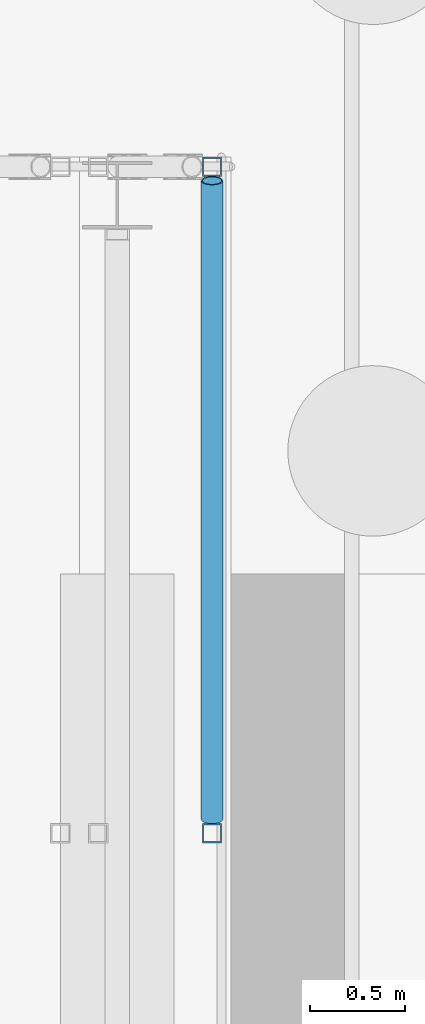
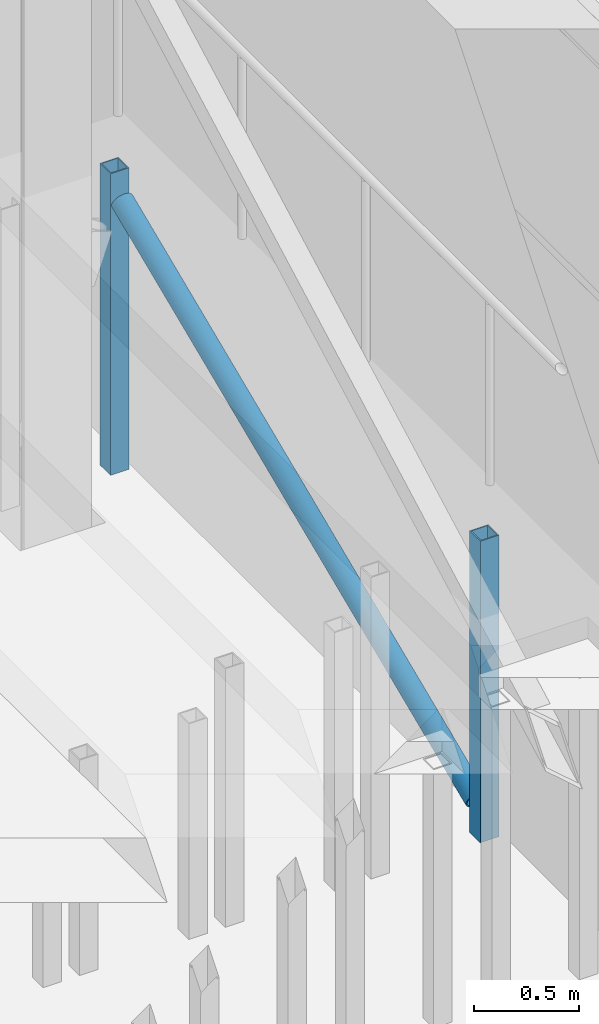
# One storey, part 56 of 139: 3 members.
"""IFC4 building model written with IfcOpenShell, lengths in metres."""

import ifcopenshell
import ifcopenshell.guid

model = None  # the IFC model being written
_history = None  # IfcOwnerHistory: only IFC2X3 demands one
_inside = {}  # id of a spatial element -> (the spatial element, [elements in it])
_under = {}  # id of a project, library or spatial element -> (it, [spatial elements below it])
_declared = {}  # id of a project -> (the project, [libraries it declares])
_typed = {}  # id of a type object -> (the type object, [elements of that type])
_made_of = {}  # id of a material, layer set ... -> (it, [elements and type objects made of it])


def new_model(schema):
    """Start an empty IFC model of exactly this schema.

    Asked for "IFC4X3", IfcOpenShell would pick the latest addendum, in which some entities
    have other attributes; the version numbers below select the first issue.
    IFC2X3 requires an IfcOwnerHistory on every rooted entity: one is made here for all.
    """
    global model, _history
    if schema == "IFC4X3":
        model = ifcopenshell.file(schema_version=(4, 3, 0, 0))
    else:
        model = ifcopenshell.file(schema=schema)
    _inside.clear()
    _under.clear()
    _declared.clear()
    _typed.clear()
    _made_of.clear()
    _history = None
    if model.schema == "IFC2X3":
        org = make("IfcOrganization", Name="unknown")
        user = make(
            "IfcPersonAndOrganization",
            ThePerson=make("IfcPerson", FamilyName="unknown"),
            TheOrganization=org,
        )
        app = make(
            "IfcApplication",
            ApplicationDeveloper=org,
            Version="unknown",
            ApplicationFullName="unknown",
            ApplicationIdentifier="unknown",
        )
        _history = make(
            "IfcOwnerHistory",
            OwningUser=user,
            OwningApplication=app,
            ChangeAction="ADDED",
            CreationDate=0,
        )
    return model


def make(cls, **values):
    """One entity of the class cls with the attributes given. An attribute that is None is left unset."""
    return model.create_entity(
        cls, **{name: value for name, value in values.items() if value is not None}
    )


def rooted(cls, **values):
    """An entity with a GlobalId (a new one), such as an element, a storey or a relation."""
    return make(cls, GlobalId=ifcopenshell.guid.new(), OwnerHistory=_history, **values)


def si_unit(unit_type, name, prefix=None):
    """IfcSIUnit, for example si_unit("LENGTHUNIT", "METRE", prefix="MILLI")."""
    return make("IfcSIUnit", UnitType=unit_type, Prefix=prefix, Name=name)


def assignment(units):
    """IfcUnitAssignment: the units of a project."""
    return None if units is None else make("IfcUnitAssignment", Units=units)


def point(xyz):
    """IfcCartesianPoint."""
    return None if xyz is None else make("IfcCartesianPoint", Coordinates=xyz)


def direction(xyz):
    """IfcDirection."""
    return None if xyz is None else make("IfcDirection", DirectionRatios=xyz)


def frame(location, z_axis=None, x_axis=None):
    """IfcAxis2Placement3D, a coordinate frame: its origin and axes. An axis left out is left unset."""
    return make(
        "IfcAxis2Placement3D",
        Location=point(location),
        Axis=direction(z_axis),
        RefDirection=direction(x_axis),
    )


def frame_2d(location, x_axis=None):
    """IfcAxis2Placement2D, a coordinate frame in the plane: its origin and x axis."""
    return make(
        "IfcAxis2Placement2D", Location=point(location), RefDirection=direction(x_axis)
    )


def origin():
    """The frame at (0, 0, 0) with its axes left unset."""
    return frame((0.0, 0.0, 0.0))


def origin_2d():
    """The frame at (0, 0) in the plane with its x axis left unset."""
    return frame_2d((0.0, 0.0))


def place(relative_to, where):
    """IfcLocalPlacement: puts the frame where relative to a parent placement (None: the world)."""
    return make(
        "IfcLocalPlacement", PlacementRelTo=relative_to, RelativePlacement=where
    )


def context(
    kind, dimensions, precision=None, world=None, true_north=None, identifier=None
):
    """IfcGeometricRepresentationContext, for example the 3D "Model" context."""
    return make(
        "IfcGeometricRepresentationContext",
        ContextIdentifier=identifier,
        ContextType=kind,
        CoordinateSpaceDimension=dimensions,
        Precision=precision,
        WorldCoordinateSystem=world,
        TrueNorth=true_north,
    )


def subcontext(parent, identifier, kind, view, scale=None):
    """IfcGeometricRepresentationSubContext, for example "Body" below "Model"."""
    return make(
        "IfcGeometricRepresentationSubContext",
        ContextIdentifier=identifier,
        ContextType=kind,
        ParentContext=parent,
        TargetScale=scale,
        TargetView=view,
    )


def project(units=None, contexts=None):
    """IfcProject with its units and contexts."""
    return rooted(
        "IfcProject",
        Name="project",
        RepresentationContexts=contexts,
        UnitsInContext=assignment(units),
    )


def spatial(cls, under=None, at=None, **own):
    """A site, building, storey or space (cls), placed at a placement, below another one or the project."""
    s = rooted(cls, ObjectPlacement=at, **own)
    if under is not None:
        _under.setdefault(under.id(), (under, []))[1].append(s)
    return s


def profile(cls, at=None, kind="AREA", **sizes):
    """A parametric profile (cls). Its sizes go by their IFC names, for example OverallWidth=200.0."""
    return make(cls, ProfileType=kind, Position=at, **sizes)


def hollow_rectangle(**sizes):
    """IfcRectangleHollowProfileDef."""
    return profile("IfcRectangleHollowProfileDef", **sizes)


def hollow_circle(**sizes):
    """IfcCircleHollowProfileDef."""
    return profile("IfcCircleHollowProfileDef", **sizes)


def extrude(swept, where, along, depth):
    """IfcExtrudedAreaSolid: the profile swept, set in the frame where, extruded along a direction by depth."""
    return make(
        "IfcExtrudedAreaSolid",
        SweptArea=swept,
        Position=where,
        ExtrudedDirection=direction(along),
        Depth=depth,
    )


def shape(context_of_items, identifier, shape_type, items):
    """IfcShapeRepresentation: the items that make up one representation, for example the "Body"."""
    return make(
        "IfcShapeRepresentation",
        ContextOfItems=context_of_items,
        RepresentationIdentifier=identifier,
        RepresentationType=shape_type,
        Items=items,
    )


def material(Name=None, Category=None):
    """IfcMaterial."""
    return make("IfcMaterial", Name=Name, Category=Category)


def material_profile(
    of_material, cross_section, Name=None, Category=None, Priority=None
):
    """IfcMaterialProfile: a cross section and its material."""
    return make(
        "IfcMaterialProfile",
        Name=Name,
        Material=of_material,
        Profile=cross_section,
        Priority=Priority,
        Category=Category,
    )


def profile_set(profiles, Name=None, composite=None):
    """IfcMaterialProfileSet."""
    return make(
        "IfcMaterialProfileSet",
        Name=Name,
        MaterialProfiles=profiles,
        CompositeProfile=composite,
    )


def made_of(thing, what):
    """Note that an element or type object is made of a material, layer set ...; save() writes the relation."""
    if what is not None:
        _made_of.setdefault(what.id(), (what, []))[1].append(thing)
    return thing


def type_object(cls, material=None, **own):
    """A type object (cls), such as IfcWallType, which elements share."""
    return made_of(rooted(cls, **own), material)


def element(
    cls,
    number,
    at=None,
    inside=None,
    cuts=None,
    type_object=None,
    material=None,
    context=None,
    identifier="Body",
    shape_type=None,
    held_by="IfcProductDefinitionShape",
    body=None,
    shapes=None,
    **own,
):
    """One element of the class cls, such as IfcWall. Its Tag is "e" and its number.

    at: its placement. inside: the storey or other place that contains it. cuts: it is an
    opening in that element (IfcRelVoidsElement). A single representation is given by context,
    identifier, shape_type and body (its items); several are given by shapes. held_by: the class
    of the entity that holds the representations. save() writes the other relations.
    """
    e = rooted(cls, Tag="e%d" % number, ObjectPlacement=at, **own)
    if body is not None:
        shapes = [shape(context, identifier, shape_type, body)]
    if shapes is not None:
        e.Representation = make(held_by, Representations=shapes)
    if inside is not None:
        _inside.setdefault(inside.id(), (inside, []))[1].append(e)
    if cuts is not None:
        rooted(
            "IfcRelVoidsElement", RelatingBuildingElement=cuts, RelatedOpeningElement=e
        )
    if type_object is not None:
        _typed.setdefault(type_object.id(), (type_object, []))[1].append(e)
    return made_of(e, material)


def aggregate(whole, parts):
    """IfcRelAggregates: a whole, such as a stair, and the parts it consists of."""
    return rooted("IfcRelAggregates", RelatingObject=whole, RelatedObjects=parts)


def save(model, path):
    """Write the relations noted so far, then the file.

    IfcRelAggregates (storeys below a building ...), IfcRelContainedInSpatialStructure (elements
    in a storey), IfcRelDefinesByType, IfcRelAssociatesMaterial and IfcRelDeclares: one each for
    every whole, place, type object, material and project.
    """
    for whole, parts in _under.values():
        aggregate(whole, parts)
    for where, things in _inside.values():
        rooted(
            "IfcRelContainedInSpatialStructure",
            RelatedElements=things,
            RelatingStructure=where,
        )
    for kind, things in _typed.values():
        rooted("IfcRelDefinesByType", RelatedObjects=things, RelatingType=kind)
    for what, things in _made_of.values():
        rooted("IfcRelAssociatesMaterial", RelatedObjects=things, RelatingMaterial=what)
    for by, libraries in _declared.values():
        rooted("IfcRelDeclares", RelatingContext=by, RelatedDefinitions=libraries)
    model.write(path)


model = new_model("IFC4")

# Units and contexts
model_context = context("Model", 3, precision=1e-05, world=origin(), true_north=direction((0.0, 1.0)))
body_context = subcontext(model_context, "Body", "Model", "MODEL_VIEW")
ifc_project = project(units=[si_unit("LENGTHUNIT", "METRE"), si_unit("AREAUNIT", "SQUARE_METRE"), si_unit("VOLUMEUNIT", "CUBIC_METRE"), si_unit("PLANEANGLEUNIT", "RADIAN"), si_unit("MASSUNIT", "GRAM", prefix="KILO")], contexts=[model_context])

# Site, building, storey
site_placement = place(None, origin())
site = spatial("IfcSite", under=ifc_project, at=site_placement, CompositionType="ELEMENT")
building_placement = place(site_placement, origin())
building = spatial("IfcBuilding", under=site, at=building_placement, Name="Verrick Yard Athletic Hall", CompositionType="ELEMENT")
storey_placement = place(building_placement, origin())
storey = spatial("IfcBuildingStorey", under=building, at=storey_placement, Name="L00", CompositionType="ELEMENT", Elevation=0.0)

# Members
ifc_material = material(Name="Structural steel HSS Class C 350W (CSA G40.20/G40.21)", Category="steel")
ifc_material_profile_1 = material_profile(ifc_material, hollow_circle(Radius=0.05712890625, WallThickness=0.00634765625, at=origin_2d()), Name="HSS114x6.4")
ifc_profile_set_1 = profile_set([ifc_material_profile_1], Name="Structural steel HSS Class C 350W (CSA G40.20/G40.21)")
member_type_1 = type_object("IfcMemberType", Name="HB roof brace HSS114x6.4", PredefinedType="BRACE", material=ifc_profile_set_1)
member_placement = place(storey_placement, frame((170.10009765625, 90.305908203125, 0.159423828125), z_axis=(0.0, 0.92044369524, 0.390875176869), x_axis=(-1.0, 0.0, 0.0)))
element("IfcMember", 1, at=member_placement, inside=storey, type_object=member_type_1, Name="HB-BRL-RSA2-z8", PredefinedType="BRACE", context=body_context, shape_type="SweptSolid", body=[
    extrude(hollow_circle(Radius=0.05712890625, WallThickness=0.00634765625, at=origin_2d()), origin(), (0.0, 0.0, 1.0), 3.661376953125),
])
ifc_material_profile_2 = material_profile(ifc_material, hollow_rectangle(XDim=0.1015625, YDim=0.1015625, WallThickness=0.00634765625, at=origin_2d()), Name="HSS102x102x6.4")
ifc_profile_set_2 = profile_set([ifc_material_profile_2], Name="Structural steel HSS Class C 350W (CSA G40.20/G40.21)")
member_type_2 = type_object("IfcMemberType", Name="HB seating post HSS102x102x6.4", PredefinedType="POST", material=ifc_profile_set_2)
for number, where, z_axis, x_axis, name in (
    (2, (170.10009765625, 90.23291015625, 0.0), (0.0, 0.0, 1.0), (0.0, 1.0, 0.0), "HB-SP-RSA2-T8b6"),
    (3, (170.10009765625, 93.749267578125, 0.0), (0.0, 0.0, 1.0), (0.0, 1.0, 0.0), "HB-SP-RSA2-T8b7"),
):
    element("IfcMember", number, at=place(storey_placement, frame(where, z_axis=z_axis, x_axis=x_axis)), inside=storey, type_object=member_type_2, Name=name, PredefinedType="POST", context=body_context, shape_type="SweptSolid", body=[
        extrude(hollow_rectangle(XDim=0.1015625, YDim=0.1015625, WallThickness=0.00634765625, at=origin_2d()), origin(), (0.0, 0.0, 1.0), 1.75),
    ])

save(model, "model.ifc")
